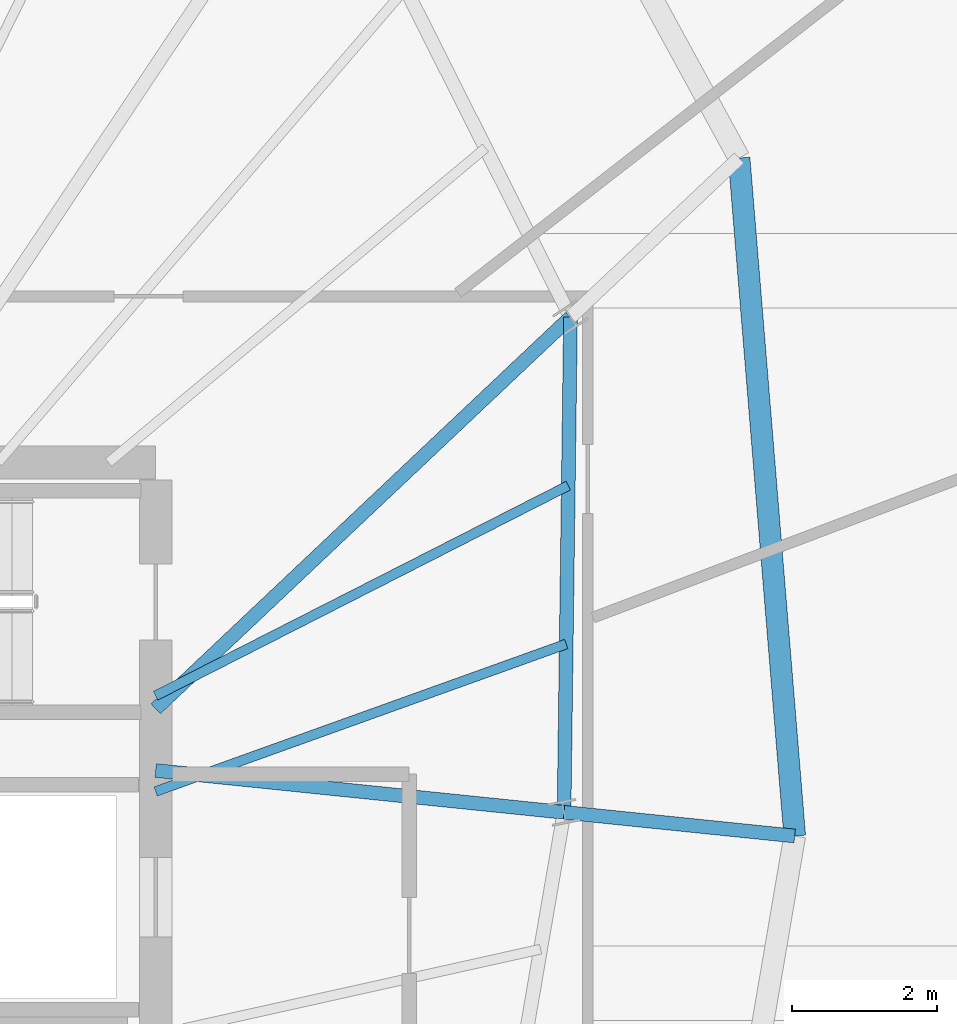
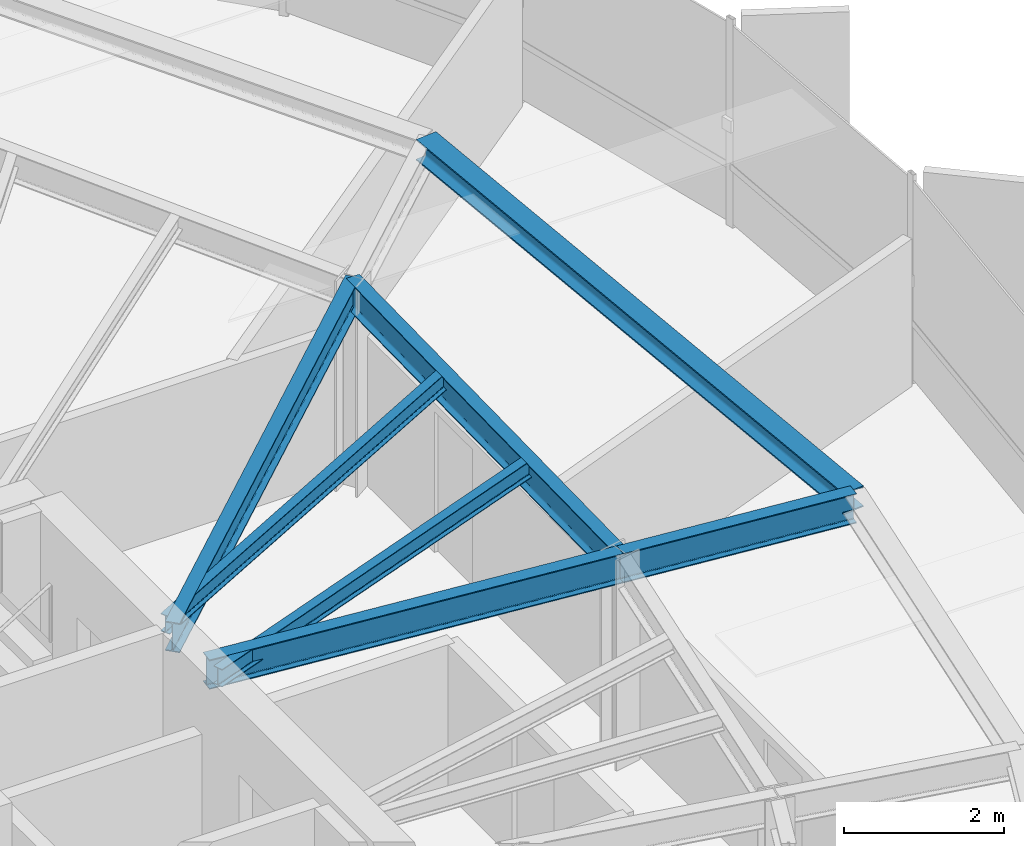
# One storey, part 17 of 35: 7 beams.
"""IFC4 building model written with IfcOpenShell, lengths in metres."""

from ifc_helpers import new_model, si_unit, direction, frame, origin, origin_2d, place, context, subcontext, project, spatial, i_section, extrude, source, transform, mapped, material, material_profile, profile_set, type_object, element, save


model = new_model("IFC4")

# Units and contexts
model_context = context("Model", 3, precision=1e-05, world=origin(), true_north=direction((0.0, 1.0)))
body_context = subcontext(model_context, "Body", "Model", "MODEL_VIEW")
ifc_project = project(units=[si_unit("LENGTHUNIT", "METRE"), si_unit("AREAUNIT", "SQUARE_METRE"), si_unit("VOLUMEUNIT", "CUBIC_METRE"), si_unit("PLANEANGLEUNIT", "RADIAN"), si_unit("MASSUNIT", "GRAM", prefix="KILO"), si_unit("THERMODYNAMICTEMPERATUREUNIT", "KELVIN")], contexts=[model_context])

# Site, building, storey
site_placement = place(None, origin())
site = spatial("IfcSite", under=ifc_project, at=site_placement, CompositionType="ELEMENT")
building_placement = place(site_placement, origin())
building = spatial("IfcBuilding", under=site, at=building_placement, Name="Kethvar Cultural Tower", CompositionType="ELEMENT")
storey_placement = place(building_placement, frame((0.0, 0.0, 245.64990234375)))
storey = spatial("IfcBuildingStorey", under=building, at=storey_placement, Name="L64", CompositionType="ELEMENT", Elevation=245.64990234375)

# Beams
ifc_material = material(Name="Steel S355J2", Category="steel")
ifc_material_profile_1 = material_profile(ifc_material, i_section(OverallWidth=0.18994140625, OverallDepth=0.449951171875, WebThickness=0.009521484375, FlangeThickness=0.0146484375, FilletRadius=0.02099609375, at=origin_2d()), Name="Steel S355J2 — IPE450")
ifc_profile_set_1 = profile_set([ifc_material_profile_1], Name="Steel S355J2 — IPE450")
beam_type_1 = type_object("IfcBeamType", Name="BM-IPE450", PredefinedType="BEAM", material=ifc_profile_set_1)
shared_shape_1 = source(origin(), body_context, "Body", "SweptSolid", [
    extrude(i_section(OverallWidth=0.18994140625, OverallDepth=0.449951171875, WebThickness=0.009521484375, FlangeThickness=0.0146484375, FilletRadius=0.02099609375, at=origin_2d()), origin(), (0.0, 0.0, 1.0), 5.66650390625),
])
beam_1_placement = place(storey_placement, frame((55.60009765625, 31.25, 2.983154296875), z_axis=(0.994777513459, -0.102067128476, 0.0), x_axis=(0.102067128476, 0.994777513459, 0.0)))
element("IfcBeam", 1, at=beam_1_placement, inside=storey, type_object=beam_type_1, Name="L64 Primary Radial Beam RB-01", PredefinedType="BEAM", context=body_context, shape_type="MappedRepresentation", body=[
    mapped(shared_shape_1, transform((0.0, 0.0, 0.0), scale=1.0)),
])
shared_shape_2 = source(origin(), body_context, "Body", "SweptSolid", [
    extrude(i_section(OverallWidth=0.18994140625, OverallDepth=0.449951171875, WebThickness=0.009521484375, FlangeThickness=0.0146484375, FilletRadius=0.02099609375, at=origin_2d()), origin(), (0.0, 0.0, 1.0), 3.199951171875),
])
beam_2_placement = place(storey_placement, frame((61.237060546875, 30.671630859375, 2.983154296875), z_axis=(0.994784019447, -0.10200369921, 0.0), x_axis=(0.10200369921, 0.994784019447, 0.0)))
element("IfcBeam", 2, at=beam_2_placement, inside=storey, type_object=beam_type_1, Name="L64 Perimeter Cantilever Beam RC-01", PredefinedType="BEAM", context=body_context, shape_type="MappedRepresentation", body=[
    mapped(shared_shape_2, transform((0.0, 0.0, 0.0), scale=1.0)),
])
shared_shape_3 = source(origin(), body_context, "Body", "SweptSolid", [
    extrude(i_section(OverallWidth=0.18994140625, OverallDepth=0.449951171875, WebThickness=0.009521484375, FlangeThickness=0.0146484375, FilletRadius=0.02099609375, at=origin_2d()), origin(), (0.0, 0.0, 1.0), 7.874267578125),
])
beam_3_placement = place(storey_placement, frame((55.60009765625, 32.10009765625, 2.983154296875), z_axis=(0.727123202456, 0.686506990823, 0.0), x_axis=(-0.686506990823, 0.727123202456, 0.0)))
element("IfcBeam", 3, at=beam_3_placement, inside=storey, type_object=beam_type_1, Name="L64 Primary Radial Beam RB-02", PredefinedType="BEAM", context=body_context, shape_type="MappedRepresentation", body=[
    mapped(shared_shape_3, transform((0.0, 0.0, 0.0), scale=1.0)),
])
shared_shape_4 = source(origin(), body_context, "Body", "SweptSolid", [
    extrude(i_section(OverallWidth=0.18994140625, OverallDepth=0.449951171875, WebThickness=0.009521484375, FlangeThickness=0.0146484375, FilletRadius=0.02099609375, at=origin_2d()), origin(), (0.0, 0.0, 1.0), 6.834716796875),
])
beam_4_placement = place(storey_placement, frame((61.237060546875, 30.671630859375, 2.983154296875), z_axis=(0.012966437445, 0.999915932216, 0.0), x_axis=(-0.999915932216, 0.012966437445, 0.0)))
element("IfcBeam", 4, at=beam_4_placement, inside=storey, type_object=beam_type_1, Name="L64 Column Ring Tie Beam CR-01", PredefinedType="BEAM", context=body_context, shape_type="MappedRepresentation", body=[
    mapped(shared_shape_4, transform((0.0, 0.0, 0.0), scale=1.0)),
])
ifc_material_profile_2 = material_profile(ifc_material, i_section(OverallWidth=0.300048828125, OverallDepth=0.320068359375, WebThickness=0.011474609375, FlangeThickness=0.0205078125, FilletRadius=0.027099609375, at=origin_2d()), Name="Steel S355J2 — HEB320")
ifc_profile_set_2 = profile_set([ifc_material_profile_2], Name="Steel S355J2 — HEB320")
beam_type_2 = type_object("IfcBeamType", Name="BM-SP320", PredefinedType="SPANDREL", material=ifc_profile_set_2)
shared_shape_5 = source(origin(), body_context, "Body", "SweptSolid", [
    extrude(i_section(OverallWidth=0.300048828125, OverallDepth=0.320068359375, WebThickness=0.011474609375, FlangeThickness=0.0205078125, FilletRadius=0.027099609375, at=origin_2d()), origin(), (0.0, 0.0, 1.0), 9.388916015625),
])
beam_5_placement = place(storey_placement, frame((64.42041015625, 30.34521484375, 3.048095703125), z_axis=(-0.08178004371, 0.996650402323, 0.0), x_axis=(-0.996650402323, -0.08178004371, 0.0)))
element("IfcBeam", 5, at=beam_5_placement, inside=storey, type_object=beam_type_2, Name="L64 Perimeter Spandrel Beam SP-01", PredefinedType="SPANDREL", context=body_context, shape_type="MappedRepresentation", body=[
    mapped(shared_shape_5, transform((0.0, 0.0, 0.0), scale=1.0)),
])
ifc_material_profile_3 = material_profile(ifc_material, i_section(OverallWidth=0.135009765625, OverallDepth=0.27001953125, WebThickness=0.006591796875, FlangeThickness=0.01025390625, FilletRadius=0.014892578125, at=origin_2d()), Name="Steel S355J2 — IPE270")
ifc_profile_set_3 = profile_set([ifc_material_profile_3], Name="Steel S355J2 — IPE270")
beam_type_3 = type_object("IfcBeamType", Name="BM-J270", PredefinedType="JOIST", material=ifc_profile_set_3)
shared_shape_6 = source(origin(), body_context, "Body", "SweptSolid", [
    extrude(i_section(OverallWidth=0.135009765625, OverallDepth=0.27001953125, WebThickness=0.006591796875, FlangeThickness=0.01025390625, FilletRadius=0.014892578125, at=origin_2d()), origin(), (0.0, 0.0, 1.0), 6.021240234375),
])
beam_6_placement = place(storey_placement, frame((55.60009765625, 30.960205078125, 3.072998046875), z_axis=(0.94114970072, 0.337990001086, 0.0), x_axis=(-0.337990001086, 0.94114970072, 0.0)))
element("IfcBeam", 6, at=beam_6_placement, inside=storey, type_object=beam_type_3, Name="L64 Composite Floor Joist J-01A", PredefinedType="JOIST", context=body_context, shape_type="MappedRepresentation", body=[
    mapped(shared_shape_6, transform((0.0, 0.0, 0.0), scale=1.0)),
])
shared_shape_7 = source(origin(), body_context, "Body", "SweptSolid", [
    extrude(i_section(OverallWidth=0.135009765625, OverallDepth=0.27001953125, WebThickness=0.006591796875, FlangeThickness=0.01025390625, FilletRadius=0.014892578125, at=origin_2d()), origin(), (0.0, 0.0, 1.0), 6.3916015625),
])
beam_7_placement = place(storey_placement, frame((55.60009765625, 32.281494140625, 3.072998046875), z_axis=(0.891094874615, 0.453817060538, 0.0), x_axis=(-0.453817060538, 0.891094874615, 0.0)))
element("IfcBeam", 7, at=beam_7_placement, inside=storey, type_object=beam_type_3, Name="L64 Composite Floor Joist J-01B", PredefinedType="JOIST", context=body_context, shape_type="MappedRepresentation", body=[
    mapped(shared_shape_7, transform((0.0, 0.0, 0.0), scale=1.0)),
])

save(model, "model.ifc")
